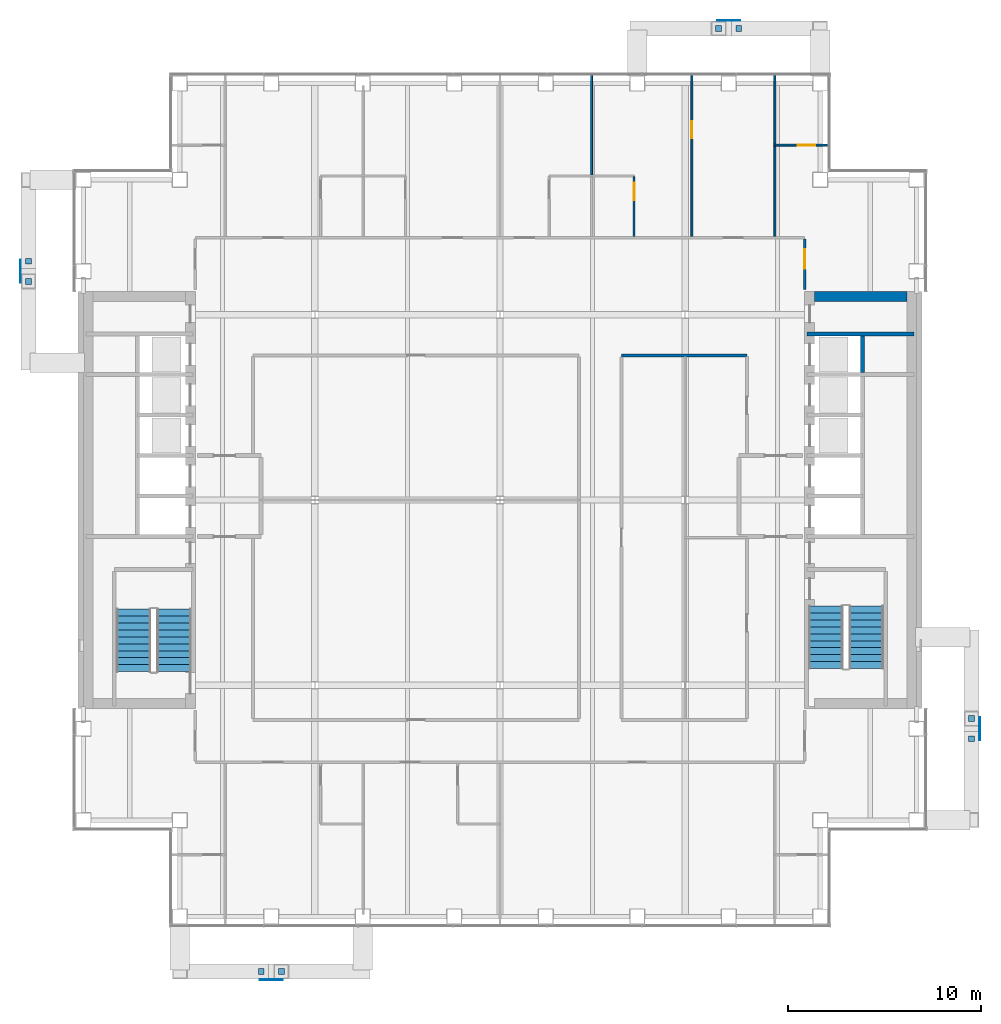
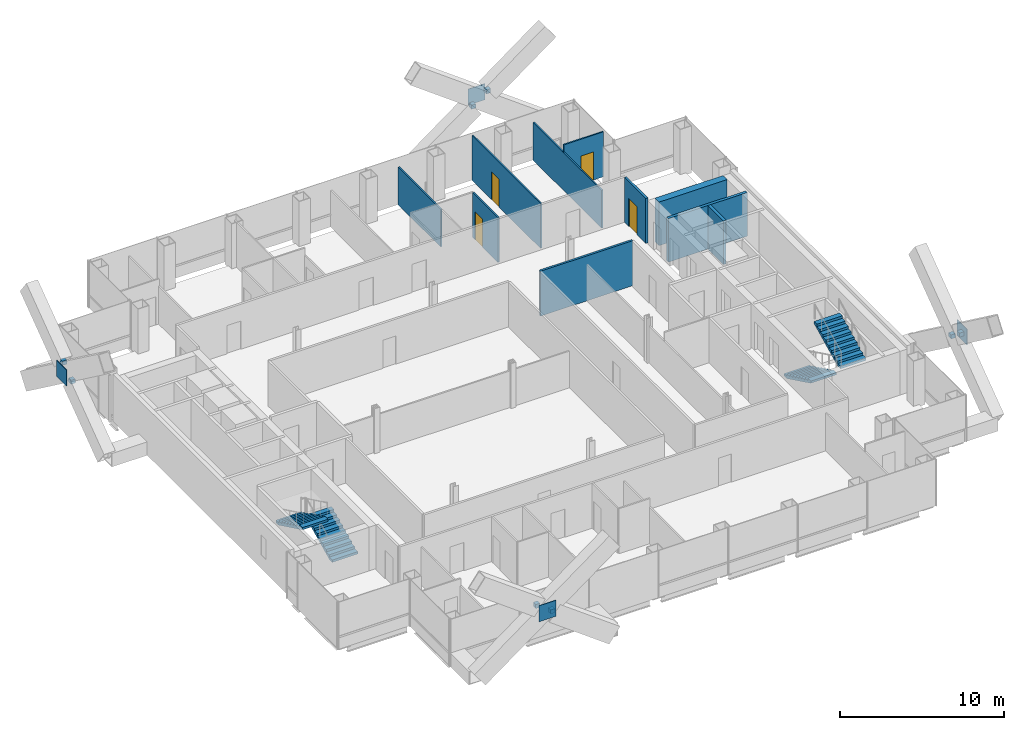
# One storey, part 12 of 14: 12 discrete accessories, 10 walls, 4 doors, 4 stair flights, 4 openings, 2 elements without a shape of their own.
"""IFC4 building model written with IfcOpenShell, lengths in metres."""

from ifc_helpers import new_model, si_unit, direction, frame, frame_2d, origin, origin_2d, place, context, subcontext, project, spatial, polyline, rectangle, outline, extrude, material, layer, layer_set, type_object, element, fill, aggregate, save


model = new_model("IFC4")

# Units and contexts
model_context = context("Model", 3, precision=1e-05, world=origin(), true_north=direction((0.0, 1.0)))
body_context = subcontext(model_context, "Body", "Model", "MODEL_VIEW")
ifc_project = project(units=[si_unit("LENGTHUNIT", "METRE"), si_unit("AREAUNIT", "SQUARE_METRE"), si_unit("VOLUMEUNIT", "CUBIC_METRE"), si_unit("PLANEANGLEUNIT", "RADIAN"), si_unit("MASSUNIT", "GRAM", prefix="KILO")], contexts=[model_context])

# Site, building, storey
site_placement = place(None, origin())
site = spatial("IfcSite", under=ifc_project, at=site_placement, CompositionType="ELEMENT")
building_placement = place(site_placement, origin())
building = spatial("IfcBuilding", under=site, at=building_placement, Name="Cobrizo Arcos Hotel Tower", CompositionType="ELEMENT")
storey_placement = place(building_placement, frame((0.0, 0.0, 179.5)))
storey = spatial("IfcBuildingStorey", under=building, at=storey_placement, Name="L46", CompositionType="ELEMENT", Elevation=179.5)

# Wall
ifc_material_1 = material(Name="Gypsum board partition")
ifc_layer_1 = layer(ifc_material_1, 0.14990234375)
ifc_layer_set_1 = layer_set([ifc_layer_1], Name="Corridor wall EI 60 150")
wall_type_1 = type_object("IfcWallType", Name="Corridor wall EI 60 150", PredefinedType="PARTITIONING", material=ifc_layer_set_1)
wall_1_placement = place(storey_placement, frame((6.300048828125, 7.5, 0.0), z_axis=(0.0, 0.0, 1.0), x_axis=(1.0, 0.0, 0.0)))
element("IfcWall", 1, at=wall_1_placement, inside=storey, type_object=wall_type_1, Name="Partition 031", PredefinedType="PARTITIONING", context=body_context, shape_type="SweptSolid", body=[
    extrude(rectangle(XDim=6.5, YDim=0.14990234375, at=frame_2d((3.25, 0.0))), origin(), (0.0, 0.0, 1.0), 3.35009765625),
])

# Wall, opening, door
wall_2_placement = place(storey_placement, frame((15.800048828125, 10.919921875, 0.0), z_axis=(0.0, 0.0, 1.0), x_axis=(0.0, 1.0, 0.0)))
wall_2 = element("IfcWall", 2, at=wall_2_placement, inside=storey, type_object=wall_type_1, Name="Partition 077", PredefinedType="PARTITIONING", context=body_context, shape_type="SweptSolid", body=[
    extrude(rectangle(XDim=2.60498046875, YDim=0.14990234375, at=frame_2d((1.302490234375, 0.0))), origin(), (0.0, 0.0, 1.0), 3.35009765625),
])
opening_1_placement = place(wall_2_placement, frame((1.080078125, 0.0, 0.0)))
opening_1 = element("IfcOpeningElement", 3, at=opening_1_placement, cuts=wall_2, Name="Opening GD-10", PredefinedType="OPENING", context=body_context, shape_type="SweptSolid", body=[
    extrude(rectangle(XDim=1.0, YDim=2.10009765625, at=frame_2d((0.5, 1.050048828125))), frame((0.0, 0.0869140625, 0.0), z_axis=(0.0, -1.0, 0.0), x_axis=(1.0, 0.0, 0.0)), (0.0, 0.0, 1.0), 0.173828125),
])
ifc_material_2 = material(Name="Timber door leaf", Category="wood")
door_type_1 = type_object("IfcDoorType", Name="Guest room door FD30S 1000x2100", OperationType="SINGLE_SWING_LEFT", PredefinedType="DOOR", material=ifc_material_2)
door_1_placement = place(opening_1_placement, origin())
door_1 = element("IfcDoor", 4, at=door_1_placement, inside=storey, type_object=door_type_1, Name="Door GD-10", OperationType="SINGLE_SWING_RIGHT", OverallHeight=2.10009765625, OverallWidth=1.0, PredefinedType="DOOR", context=body_context, shape_type="SweptSolid", body=[
    extrude(rectangle(XDim=1.0, YDim=2.10009765625, at=frame_2d((0.5, 1.050048828125))), frame((0.0, 0.02490234375, 0.0), z_axis=(0.0, -1.0, 0.0), x_axis=(1.0, 0.0, 0.0)), (0.0, 0.0, 1.0), 0.050048828125),
])
fill(opening_1, door_1)

ifc_layer_2 = layer(ifc_material_1, 0.10009765625)
ifc_layer_set_2 = layer_set([ifc_layer_2], Name="Partition EI 30 100")
wall_type_2 = type_object("IfcWallType", Name="Partition EI 30 100", PredefinedType="PARTITIONING", material=ifc_layer_set_2)
wall_3_placement = place(storey_placement, frame((14.25, 18.39990234375, 0.0), z_axis=(0.0, 0.0, 1.0), x_axis=(1.0, 0.0, 0.0)))
wall_3 = element("IfcWall", 5, at=wall_3_placement, inside=storey, type_object=wall_type_2, Name="Partition 038", PredefinedType="PARTITIONING", context=body_context, shape_type="SweptSolid", body=[
    extrude(rectangle(XDim=2.780029296875, YDim=0.10009765625, at=frame_2d((1.39013671875, 0.0))), origin(), (0.0, 0.0, 1.0), 3.35009765625),
])
opening_2_placement = place(wall_3_placement, frame((1.18896484375, 0.0, 0.0)))
opening_2 = element("IfcOpeningElement", 6, at=opening_2_placement, cuts=wall_3, Name="Opening ED-10", PredefinedType="OPENING", context=body_context, shape_type="SweptSolid", body=[
    extrude(rectangle(XDim=0.89990234375, YDim=2.10009765625, at=frame_2d((0.449951171875, 1.050048828125))), frame((0.0, 0.06201171875, 0.0), z_axis=(0.0, -1.0, 0.0), x_axis=(1.0, 0.0, 0.0)), (0.0, 0.0, 1.0), 0.1240234375),
])
door_type_2 = type_object("IfcDoorType", Name="En-suite door 900x2100", OperationType="SINGLE_SWING_LEFT", PredefinedType="DOOR", material=ifc_material_2)
door_2_placement = place(opening_2_placement, origin())
door_2 = element("IfcDoor", 7, at=door_2_placement, inside=storey, type_object=door_type_2, Name="Door ED-10", OperationType="SINGLE_SWING_LEFT", OverallHeight=2.10009765625, OverallWidth=0.89990234375, PredefinedType="DOOR", context=body_context, shape_type="SweptSolid", body=[
    extrude(rectangle(XDim=0.89990234375, YDim=2.10009765625, at=frame_2d((0.449951171875, 1.050048828125))), frame((0.0, 0.02490234375, 0.0), z_axis=(0.0, -1.0, 0.0), x_axis=(1.0, 0.0, 0.0)), (0.0, 0.0, 1.0), 0.050048828125),
])
fill(opening_2, door_2)

# Wall
wall_4_placement = place(storey_placement, frame((4.75, 16.85009765625, 0.0), z_axis=(0.0, 0.0, 1.0), x_axis=(0.0, 1.0, 0.0)))
element("IfcWall", 8, at=wall_4_placement, inside=storey, type_object=wall_type_2, Name="Partition 062", PredefinedType="PARTITIONING", context=body_context, shape_type="SweptSolid", body=[
    extrude(rectangle(XDim=5.179931640625, YDim=0.10009765625, at=frame_2d((2.58984375, 0.0))), origin(), (0.0, 0.0, 1.0), 2.81689453125),
])

# Wall, opening, door
wall_5_placement = place(storey_placement, frame((6.949951171875, 13.675048828125, 0.0), z_axis=(0.0, 0.0, 1.0), x_axis=(0.0, 1.0, 0.0)))
wall_5 = element("IfcWall", 9, at=wall_5_placement, inside=storey, type_object=wall_type_2, Name="Partition 064", PredefinedType="PARTITIONING", context=body_context, shape_type="SweptSolid", body=[
    extrude(rectangle(XDim=3.074951171875, YDim=0.10009765625, at=frame_2d((1.53759765625, 0.0))), origin(), (0.0, 0.0, 1.0), 3.35009765625),
])
opening_3_placement = place(wall_5_placement, frame((1.875, 0.0, 0.0)))
opening_3 = element("IfcOpeningElement", 10, at=opening_3_placement, cuts=wall_5, Name="Opening ED-04", PredefinedType="OPENING", context=body_context, shape_type="SweptSolid", body=[
    extrude(rectangle(XDim=0.89990234375, YDim=2.10009765625, at=frame_2d((0.449951171875, 1.050048828125))), frame((0.0, 0.06201171875, 0.0), z_axis=(0.0, -1.0, 0.0), x_axis=(1.0, 0.0, 0.0)), (0.0, 0.0, 1.0), 0.1240234375),
])
door_3_placement = place(opening_3_placement, origin())
door_3 = element("IfcDoor", 11, at=door_3_placement, inside=storey, type_object=door_type_2, Name="Door ED-04", OperationType="SINGLE_SWING_LEFT", OverallHeight=2.10009765625, OverallWidth=0.89990234375, PredefinedType="DOOR", context=body_context, shape_type="SweptSolid", body=[
    extrude(rectangle(XDim=0.89990234375, YDim=2.10009765625, at=frame_2d((0.449951171875, 1.050048828125))), frame((0.0, 0.02490234375, 0.0), z_axis=(0.0, -1.0, 0.0), x_axis=(1.0, 0.0, 0.0)), (0.0, 0.0, 1.0), 0.050048828125),
])
fill(opening_3, door_3)

wall_6_placement = place(storey_placement, frame((9.949951171875, 13.675048828125, 0.0), z_axis=(0.0, 0.0, 1.0), x_axis=(0.0, 1.0, 0.0)))
wall_6 = element("IfcWall", 12, at=wall_6_placement, inside=storey, type_object=wall_type_2, Name="Partition 070", PredefinedType="PARTITIONING", context=body_context, shape_type="SweptSolid", body=[
    extrude(rectangle(XDim=8.35498046875, YDim=0.10009765625, at=frame_2d((4.177490234375, 0.0))), origin(), (0.0, 0.0, 1.0), 3.35009765625),
])
opening_4_placement = place(wall_6_placement, frame((5.074951171875, 0.0, 0.0)))
opening_4 = element("IfcOpeningElement", 13, at=opening_4_placement, cuts=wall_6, Name="Opening RD-03", PredefinedType="OPENING", context=body_context, shape_type="SweptSolid", body=[
    extrude(rectangle(XDim=0.89990234375, YDim=2.10009765625, at=frame_2d((0.449951171875, 1.050048828125))), frame((0.0, 0.06201171875, 0.0), z_axis=(0.0, -1.0, 0.0), x_axis=(1.0, 0.0, 0.0)), (0.0, 0.0, 1.0), 0.1240234375),
])
door_type_3 = type_object("IfcDoorType", Name="Room door FD30 900x2100", OperationType="SINGLE_SWING_LEFT", PredefinedType="DOOR", material=ifc_material_2)
door_4_placement = place(opening_4_placement, origin())
door_4 = element("IfcDoor", 14, at=door_4_placement, inside=storey, type_object=door_type_3, Name="Door RD-03", OperationType="SINGLE_SWING_RIGHT", OverallHeight=2.10009765625, OverallWidth=0.89990234375, PredefinedType="DOOR", context=body_context, shape_type="SweptSolid", body=[
    extrude(rectangle(XDim=0.89990234375, YDim=2.10009765625, at=frame_2d((0.449951171875, 1.050048828125))), frame((0.0, 0.02490234375, 0.0), z_axis=(0.0, -1.0, 0.0), x_axis=(1.0, 0.0, 0.0)), (0.0, 0.0, 1.0), 0.050048828125),
])
fill(opening_4, door_4)

# Walls
wall_7_placement = place(storey_placement, frame((14.25, 13.675048828125, 0.0), z_axis=(0.0, 0.0, 1.0), x_axis=(0.0, 1.0, 0.0)))
element("IfcWall", 15, at=wall_7_placement, inside=storey, type_object=wall_type_2, Name="Partition 075", PredefinedType="PARTITIONING", context=body_context, shape_type="SweptSolid", body=[
    extrude(rectangle(XDim=8.35498046875, YDim=0.10009765625, at=frame_2d((4.177490234375, 0.0))), origin(), (0.0, 0.0, 1.0), 2.81689453125),
])
ifc_material_3 = material(Name="Concrete f'c 50 MPa", Category="concrete")
ifc_layer_3 = layer(ifc_material_3, 0.5)
ifc_layer_set_3 = layer_set([ifc_layer_3], Name="RC core wall 500 f'c 50")
wall_type_3 = type_object("IfcWallType", Name="RC core wall 500 f'c 50", PredefinedType="SHEAR", material=ifc_layer_set_3)
wall_8_placement = place(storey_placement, frame((16.300048828125, 10.550048828125, 0.0), z_axis=(0.0, 0.0, 1.0), x_axis=(1.0, 0.0, 0.0)))
element("IfcWall", 16, at=wall_8_placement, inside=storey, type_object=wall_type_3, Name="Core wall CW3, east core, north end, L46", PredefinedType="SHEAR", context=body_context, shape_type="SweptSolid", body=[
    extrude(rectangle(XDim=4.800048828125, YDim=0.5, at=frame_2d((2.39990234375, 0.0))), origin(), (0.0, 0.0, 1.0), 3.25),
])
ifc_layer_4 = layer(ifc_material_1, 0.199951171875)
ifc_layer_set_4 = layer_set([ifc_layer_4], Name="Shaft wall EI 120 200")
wall_type_4 = type_object("IfcWallType", Name="Shaft wall EI 120 200", PredefinedType="PARTITIONING", material=ifc_layer_set_4)
wall_9_placement = place(storey_placement, frame((15.919921875, 8.60009765625, 0.0), z_axis=(0.0, 0.0, 1.0), x_axis=(1.0, 0.0, 0.0)))
element("IfcWall", 17, at=wall_9_placement, inside=storey, type_object=wall_type_4, Name="Partition 033", PredefinedType="PARTITIONING", context=body_context, shape_type="SweptSolid", body=[
    extrude(rectangle(XDim=5.56005859375, YDim=0.199951171875, at=frame_2d((2.780029296875, 0.0))), origin(), (0.0, 0.0, 1.0), 3.25),
])
wall_10_placement = place(storey_placement, frame((18.800048828125, 6.60009765625, 0.0), z_axis=(0.0, 0.0, 1.0), x_axis=(0.0, 1.0, 0.0)))
element("IfcWall", 18, at=wall_10_placement, inside=storey, type_object=wall_type_4, Name="Partition 079", PredefinedType="PARTITIONING", context=body_context, shape_type="SweptSolid", body=[
    extrude(rectangle(XDim=1.89990234375, YDim=0.199951171875, at=frame_2d((0.949951171875, 0.0))), origin(), (0.0, 0.0, 1.0), 3.25),
])

# Stair, stair flights
ifc_material_4 = material(Name="Concrete f'c 40 MPa", Category="concrete")
stair_type = type_object("IfcStairType", Name="Exit stair", PredefinedType="HALF_TURN_STAIR", material=ifc_material_4)
stair_1_placement = place(storey_placement, origin())
stair_1 = element("IfcStair", 19, at=stair_1_placement, inside=storey, type_object=stair_type, Name="L46 Exit stair ST-W", PredefinedType="HALF_TURN_STAIR")
stair_flight_type = type_object("IfcStairFlightType", Name="Exit stair flight", PredefinedType="STRAIGHT", material=ifc_material_4)
stair_flight_1_placement = place(storey_placement, frame((-16.89990234375, -8.89990234375, 0.0), z_axis=(0.0, 0.0, 1.0), x_axis=(0.0, 1.0, 0.0)))
stair_flight_1 = element("IfcStairFlight", 20, at=stair_flight_1_placement, type_object=stair_flight_type, Name="ST-W flight 1", NumberOfRisers=10, NumberOfTreads=9, PredefinedType="STRAIGHT", RiserHeight=0.175, TreadLength=0.36, context=body_context, shape_type="SweptSolid", body=[
    extrude(outline(polyline([(0.0, 0.0), (0.0, 0.175048828125), (0.360107421875, 0.175048828125), (0.360107421875, 0.35009765625), (0.719970703125, 0.35009765625), (0.719970703125, 0.52490234375), (1.080078125, 0.52490234375), (1.080078125, 0.699951171875), (1.43994140625, 0.699951171875), (1.43994140625, 0.875), (1.800048828125, 0.875), (1.800048828125, 1.050048828125), (2.159912109375, 1.050048828125), (2.159912109375, 1.22509765625), (2.52001953125, 1.22509765625), (2.52001953125, 1.39990234375), (2.8798828125, 1.39990234375), (2.8798828125, 1.574951171875), (3.239990234375, 1.574951171875), (3.239990234375, 1.75), (3.239990234375, 1.408203125), (0.3427734375, 0.0), (0.0, 0.0)])), frame((0.0, 0.89990234375, 0.0), z_axis=(0.0, -1.0, 0.0), x_axis=(1.0, 0.0, 0.0)), (0.0, 0.0, 1.0), 1.800048828125),
])
stair_flight_2_placement = place(storey_placement, frame((-19.0, -5.659912109375, 1.75), z_axis=(0.0, 0.0, 1.0), x_axis=(0.0, -1.0, 0.0)))
stair_flight_2 = element("IfcStairFlight", 21, at=stair_flight_2_placement, type_object=stair_flight_type, Name="ST-W flight 2", NumberOfRisers=10, NumberOfTreads=9, PredefinedType="STRAIGHT", RiserHeight=0.175, TreadLength=0.36, context=body_context, shape_type="SweptSolid", body=[
    extrude(outline(polyline([(0.0, 0.0), (0.0, 0.175048828125), (0.360107421875, 0.175048828125), (0.360107421875, 0.35009765625), (0.719970703125, 0.35009765625), (0.719970703125, 0.52490234375), (1.080078125, 0.52490234375), (1.080078125, 0.699951171875), (1.43994140625, 0.699951171875), (1.43994140625, 0.875), (1.800048828125, 0.875), (1.800048828125, 1.050048828125), (2.159912109375, 1.050048828125), (2.159912109375, 1.22509765625), (2.52001953125, 1.22509765625), (2.52001953125, 1.39990234375), (2.8798828125, 1.39990234375), (2.8798828125, 1.574951171875), (3.239990234375, 1.574951171875), (3.239990234375, 1.75), (3.239990234375, 1.408203125), (0.3427734375, 0.0), (0.0, 0.0)])), frame((0.0, 0.89990234375, 0.0), z_axis=(0.0, -1.0, 0.0), x_axis=(1.0, 0.0, 0.0)), (0.0, 0.0, 1.0), 1.800048828125),
])
aggregate(stair_1, [stair_flight_1, stair_flight_2])

stair_2_placement = place(storey_placement, origin())
stair_2 = element("IfcStair", 22, at=stair_2_placement, inside=storey, type_object=stair_type, Name="L46 Exit stair ST-E", PredefinedType="HALF_TURN_STAIR")
stair_flight_3_placement = place(storey_placement, frame((16.89990234375, -5.5, 0.0), z_axis=(0.0, 0.0, 1.0), x_axis=(0.0, -1.0, 0.0)))
stair_flight_3 = element("IfcStairFlight", 23, at=stair_flight_3_placement, type_object=stair_flight_type, Name="ST-E flight 1", NumberOfRisers=10, NumberOfTreads=9, PredefinedType="STRAIGHT", RiserHeight=0.175, TreadLength=0.36, context=body_context, shape_type="SweptSolid", body=[
    extrude(outline(polyline([(0.0, 0.0), (0.0, 0.175048828125), (0.360107421875, 0.175048828125), (0.360107421875, 0.35009765625), (0.719970703125, 0.35009765625), (0.719970703125, 0.52490234375), (1.080078125, 0.52490234375), (1.080078125, 0.699951171875), (1.43994140625, 0.699951171875), (1.43994140625, 0.875), (1.800048828125, 0.875), (1.800048828125, 1.050048828125), (2.159912109375, 1.050048828125), (2.159912109375, 1.22509765625), (2.52001953125, 1.22509765625), (2.52001953125, 1.39990234375), (2.8798828125, 1.39990234375), (2.8798828125, 1.574951171875), (3.239990234375, 1.574951171875), (3.239990234375, 1.75), (3.239990234375, 1.408203125), (0.3427734375, 0.0), (0.0, 0.0)])), frame((0.0, 0.89990234375, 0.0), z_axis=(0.0, -1.0, 0.0), x_axis=(1.0, 0.0, 0.0)), (0.0, 0.0, 1.0), 1.800048828125),
])
stair_flight_4_placement = place(storey_placement, frame((19.0, -8.739990234375, 1.75), z_axis=(0.0, 0.0, 1.0), x_axis=(0.0, 1.0, 0.0)))
stair_flight_4 = element("IfcStairFlight", 24, at=stair_flight_4_placement, type_object=stair_flight_type, Name="ST-E flight 2", NumberOfRisers=10, NumberOfTreads=9, PredefinedType="STRAIGHT", RiserHeight=0.175, TreadLength=0.36, context=body_context, shape_type="SweptSolid", body=[
    extrude(outline(polyline([(0.0, 0.0), (0.0, 0.175048828125), (0.360107421875, 0.175048828125), (0.360107421875, 0.35009765625), (0.719970703125, 0.35009765625), (0.719970703125, 0.52490234375), (1.080078125, 0.52490234375), (1.080078125, 0.699951171875), (1.43994140625, 0.699951171875), (1.43994140625, 0.875), (1.800048828125, 0.875), (1.800048828125, 1.050048828125), (2.159912109375, 1.050048828125), (2.159912109375, 1.22509765625), (2.52001953125, 1.22509765625), (2.52001953125, 1.39990234375), (2.8798828125, 1.39990234375), (2.8798828125, 1.574951171875), (3.239990234375, 1.574951171875), (3.239990234375, 1.75), (3.239990234375, 1.408203125), (0.3427734375, 0.0), (0.0, 0.0)])), frame((0.0, 0.89990234375, 0.0), z_axis=(0.0, -1.0, 0.0), x_axis=(1.0, 0.0, 0.0)), (0.0, 0.0, 1.0), 1.800048828125),
])
aggregate(stair_2, [stair_flight_3, stair_flight_4])

# Discrete accessories
ifc_material_5 = material(Name="Steel ASTM A572 Grade 50", Category="steel")
discrete_accessory_type_1 = type_object("IfcDiscreteAccessoryType", Name="GP-1 gusset plate 1200x1200x40", PredefinedType="BRACKET", material=ifc_material_5)
discrete_accessory_1_placement = place(storey_placement, frame((24.8701171875, -11.857177734375, 3.39990234375), z_axis=(0.0, 0.0, 1.0), x_axis=(1.0, 0.0, 0.0)))
element("IfcDiscreteAccessory", 25, at=discrete_accessory_1_placement, inside=storey, type_object=discrete_accessory_type_1, Name="Gusset plate br-Z3-E-18", PredefinedType="BRACKET", context=body_context, shape_type="SweptSolid", body=[
    extrude(rectangle(XDim=0.0400390625, YDim=1.199951171875, at=origin_2d()), origin(), (0.0, 0.0, 1.0), 1.199951171875),
])
for number, where, z_axis, x_axis, name in (
    (26, (11.857177734375, 24.8701171875, 3.39990234375), (0.0, 0.0, 1.0), (1.0, 0.0, 0.0), "Gusset plate br-Z3-N-18"),
    (27, (-11.857177734375, -24.8701171875, 3.39990234375), (0.0, 0.0, 1.0), (1.0, 0.0, 0.0), "Gusset plate br-Z3-S-18"),
):
    element("IfcDiscreteAccessory", number, at=place(storey_placement, frame(where, z_axis=z_axis, x_axis=x_axis)), inside=storey, type_object=discrete_accessory_type_1, Name=name, PredefinedType="BRACKET", context=body_context, shape_type="SweptSolid", body=[
        extrude(rectangle(XDim=1.199951171875, YDim=0.0400390625, at=origin_2d()), origin(), (0.0, 0.0, 1.0), 1.199951171875),
    ])
discrete_accessory_2_placement = place(storey_placement, frame((-24.8701171875, 11.857177734375, 3.39990234375), z_axis=(0.0, 0.0, 1.0), x_axis=(1.0, 0.0, 0.0)))
element("IfcDiscreteAccessory", 28, at=discrete_accessory_2_placement, inside=storey, type_object=discrete_accessory_type_1, Name="Gusset plate br-Z3-W-18", PredefinedType="BRACKET", context=body_context, shape_type="SweptSolid", body=[
    extrude(rectangle(XDim=0.0400390625, YDim=1.199951171875, at=origin_2d()), origin(), (0.0, 0.0, 1.0), 1.199951171875),
])
discrete_accessory_type_2 = type_object("IfcDiscreteAccessoryType", Name="GP-5 brace end plate 300x300x300", PredefinedType="BRACKET", material=ifc_material_5)
for number, where, z_axis, x_axis, name in (
    (29, (24.449951171875, -11.333984375, 3.4638671875), (0.0, 0.0, 1.0), (1.0, 0.0, 0.0), "Brace end plate"),
    (30, (24.449951171875, -12.38037109375, 4.23583984375), (0.0, 0.0, 1.0), (1.0, 0.0, 0.0), "Brace end plate"),
    (31, (11.333984375, 24.449951171875, 3.4638671875), (0.0, 0.0, 1.0), (1.0, 0.0, 0.0), "Brace end plate"),
    (32, (12.38037109375, 24.449951171875, 4.23583984375), (0.0, 0.0, 1.0), (1.0, 0.0, 0.0), "Brace end plate"),
    (33, (-11.333984375, -24.449951171875, 3.4638671875), (0.0, 0.0, 1.0), (1.0, 0.0, 0.0), "Brace end plate"),
    (34, (-12.38037109375, -24.449951171875, 4.23583984375), (0.0, 0.0, 1.0), (1.0, 0.0, 0.0), "Brace end plate"),
    (35, (-24.449951171875, 11.333984375, 3.4638671875), (0.0, 0.0, 1.0), (1.0, 0.0, 0.0), "Brace end plate"),
    (36, (-24.449951171875, 12.38037109375, 4.23583984375), (0.0, 0.0, 1.0), (1.0, 0.0, 0.0), "Brace end plate"),
):
    element("IfcDiscreteAccessory", number, at=place(storey_placement, frame(where, z_axis=z_axis, x_axis=x_axis)), inside=storey, type_object=discrete_accessory_type_2, Name=name, PredefinedType="BRACKET", context=body_context, shape_type="SweptSolid", body=[
        extrude(rectangle(XDim=0.300048828125, YDim=0.300048828125, at=origin_2d()), origin(), (0.0, 0.0, 1.0), 0.300048828125),
    ])

save(model, "model.ifc")
